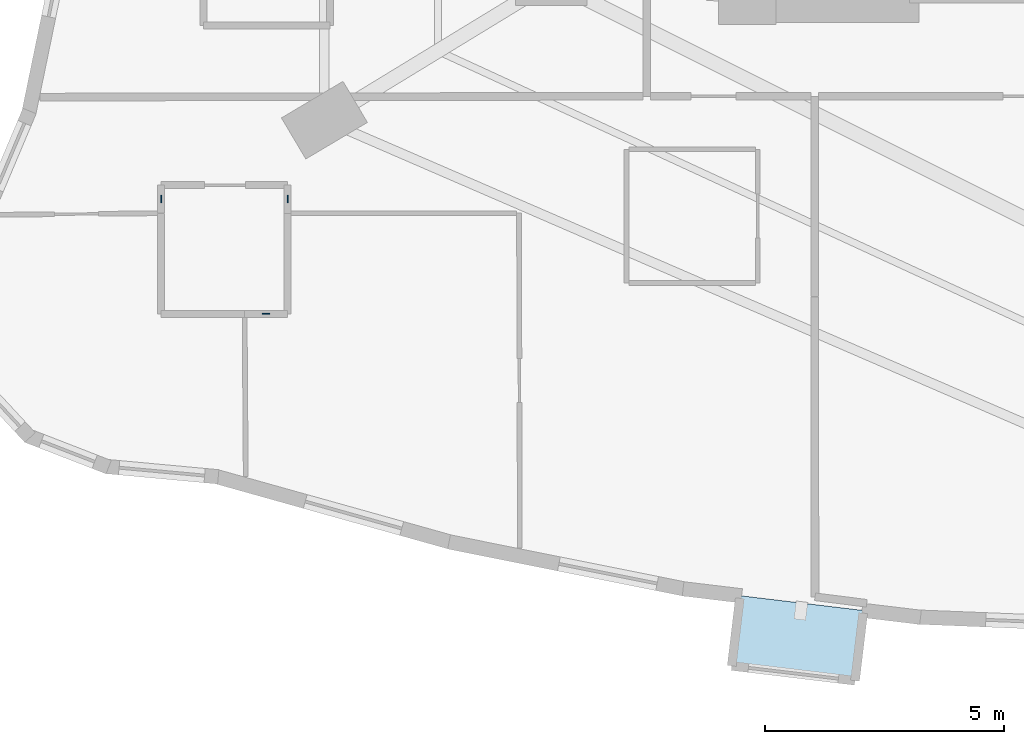
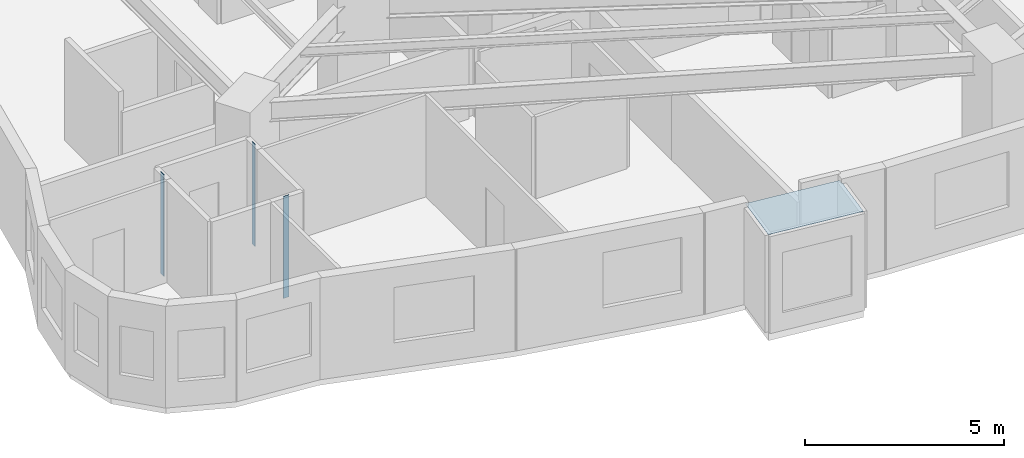
# One storey, part 2 of 16: 4 plates.
"""IFC4 building model written with IfcOpenShell, lengths in metres."""

from ifc_helpers import new_model, si_unit, direction, frame, origin, origin_2d, place, context, subcontext, project, spatial, polyline, rectangle, outline, extrude, material, layer, layer_set, type_object, element, save


model = new_model("IFC4")

# Units and contexts
model_context = context("Model", 3, precision=1e-05, world=origin(), true_north=direction((0.0, 1.0)))
body_context = subcontext(model_context, "Body", "Model", "MODEL_VIEW")
ifc_project = project(units=[si_unit("LENGTHUNIT", "METRE"), si_unit("AREAUNIT", "SQUARE_METRE"), si_unit("VOLUMEUNIT", "CUBIC_METRE"), si_unit("PLANEANGLEUNIT", "RADIAN"), si_unit("MASSUNIT", "GRAM", prefix="KILO")], contexts=[model_context])

# Site, building, storey
site_placement = place(None, origin())
site = spatial("IfcSite", under=ifc_project, at=site_placement, CompositionType="ELEMENT")
building_placement = place(site_placement, origin())
building = spatial("IfcBuilding", under=site, at=building_placement, Name="Miruveldt Soraemaru", CompositionType="ELEMENT")
storey_placement = place(building_placement, frame((0.0, 0.0, 42.800048828125)))
storey = spatial("IfcBuildingStorey", under=building, at=storey_placement, Name="L11", CompositionType="ELEMENT", Elevation=42.800048828125)

# Plates
ifc_material_1 = material(Name="Anodised aluminium EN AW-6063 T6", Category="aluminium")
ifc_layer_1 = layer(ifc_material_1, 0.02001953125, Name="Anodised aluminium EN AW-6063 T6", Category="aluminium")
ifc_layer_set_1 = layer_set([ifc_layer_1], Name="Anodised aluminium EN AW-6063 T6")
plate_type_1 = type_object("IfcPlateType", Name="PLT-PART-TRIM", PredefinedType="SHEET", material=ifc_layer_set_1)
for number, where, z_axis, x_axis, name in (
    (1, (25.422607421875, 28.840087890625, 0.0), (0.0, 0.0, 1.0), (1.0, 0.0, 0.0), "L11 Partition Step Corner Trim Plate 104"),
    (2, (25.8720703125, 31.2451171875, 0.0), (0.0, 0.0, 1.0), (0.0, 1.0, 0.0), "L11 Partition Step Corner Trim Plate 090"),
    (3, (23.221923828125, 31.2451171875, 0.0), (0.0, 0.0, 1.0), (0.0, -1.0, 0.0), "L11 Partition Step Corner Trim Plate 092"),
):
    element("IfcPlate", number, at=place(storey_placement, frame(where, z_axis=z_axis, x_axis=x_axis)), inside=storey, type_object=plate_type_1, Name=name, PredefinedType="SHEET", context=body_context, shape_type="SweptSolid", body=[
        extrude(rectangle(XDim=0.159912109375, YDim=0.02001953125, at=origin_2d()), origin(), (0.0, 0.0, 1.0), 3.125),
    ])
ifc_material_2 = material(Name="Standing-seam titanium-zinc sheet", Category="aluminium")
ifc_layer_2 = layer(ifc_material_2, 0.011962890625, Name="Standing-seam titanium-zinc sheet", Category="aluminium")
ifc_layer_set_2 = layer_set([ifc_layer_2], Name="Standing-seam titanium-zinc sheet")
plate_type_2 = type_object("IfcPlateType", Name="PLT-ZINC-12", PredefinedType="SHEET", material=ifc_layer_set_2)
plate_placement = place(storey_placement, frame((0.0, 0.0, 2.974853515625)))
element("IfcPlate", 4, at=plate_placement, inside=storey, type_object=plate_type_2, Name="L11 Bay Window Zinc Hood Sheet 1", PredefinedType="SHEET", context=body_context, shape_type="SweptSolid", body=[
    extrude(outline(polyline([(35.353759765625, 22.938232421875), (37.935302734375, 22.62841796875), (37.7587890625, 21.15869140625), (35.177490234375, 21.46875), (35.353759765625, 22.938232421875)])), origin(), (0.0, 0.0, 1.0), 0.01220703125),
])

save(model, "model.ifc")
